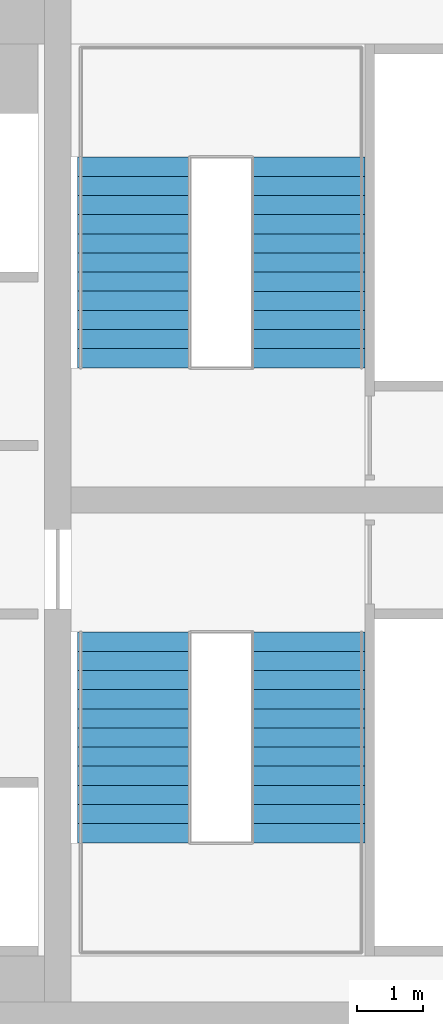
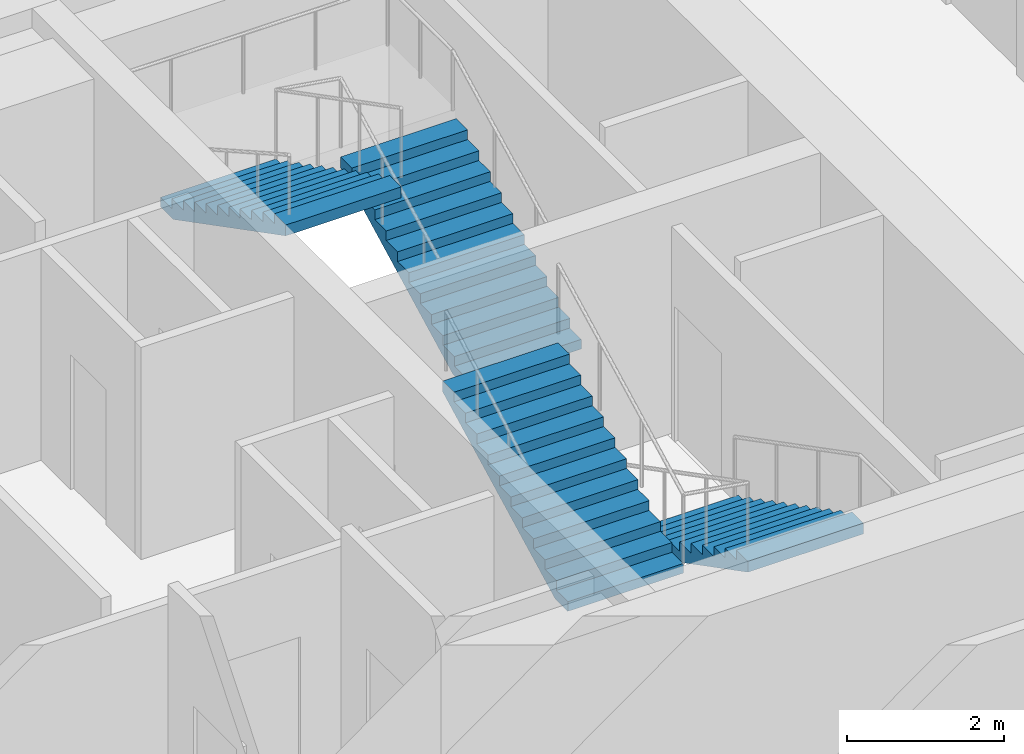
# One storey, part 32 of 33: 4 stair flights, 2 elements without a shape of their own.
"""IFC4 building model written with IfcOpenShell, lengths in metres."""

from ifc_helpers import new_model, si_unit, direction, frame, origin, place, context, subcontext, project, spatial, polyline, outline, extrude, material, type_object, element, aggregate, save


model = new_model("IFC4")

# Units and contexts
model_context = context("Model", 3, precision=1e-05, world=origin(), true_north=direction((0.0, 1.0)))
body_context = subcontext(model_context, "Body", "Model", "MODEL_VIEW")
ifc_project = project(units=[si_unit("LENGTHUNIT", "METRE"), si_unit("AREAUNIT", "SQUARE_METRE"), si_unit("VOLUMEUNIT", "CUBIC_METRE"), si_unit("PLANEANGLEUNIT", "RADIAN"), si_unit("MASSUNIT", "GRAM", prefix="KILO")], contexts=[model_context])

# Site, building, storey
site_placement = place(None, origin())
site = spatial("IfcSite", under=ifc_project, at=site_placement, CompositionType="ELEMENT")
building_placement = place(site_placement, origin())
building = spatial("IfcBuilding", under=site, at=building_placement, Name="Marenta Gate Hotel Tower", CompositionType="ELEMENT")
storey_placement = place(building_placement, frame((0.0, 0.0, 248.89990234375)))
storey = spatial("IfcBuildingStorey", under=building, at=storey_placement, Name="L59", CompositionType="ELEMENT", Elevation=248.89990234375)

# Stair, stair flights
ifc_material_1 = material(Name="Concrete C40", Category="concrete")
stair_type = type_object("IfcStairType", Name="Core exit stair 1700 wide", PredefinedType="HALF_TURN_STAIR", material=ifc_material_1)
stair_1_placement = place(storey_placement, origin())
stair_1 = element("IfcStair", 1, at=stair_1_placement, inside=storey, type_object=stair_type, Name="Exit stair 3", PredefinedType="HALF_TURN_STAIR")
ifc_material_2 = material(Name="Concrete C40", Category="concrete")
stair_flight_type = type_object("IfcStairFlightType", Name="Core stair flight 1700 riser 150.0 going 290", PredefinedType="STRAIGHT", material=ifc_material_2)
stair_flight_1_placement = place(storey_placement, frame((8.0, 6.39990234375, 0.0), z_axis=(0.0, 0.0, 1.0), x_axis=(0.0, -1.0, 0.0)))
stair_flight_1 = element("IfcStairFlight", 2, at=stair_flight_1_placement, type_object=stair_flight_type, Name="ST3 flight 1", NumberOfRisers=12, NumberOfTreads=11, PredefinedType="STRAIGHT", RiserHeight=0.15, TreadLength=0.29, context=body_context, shape_type="SweptSolid", body=[
    extrude(outline(polyline([(0.0, 0.0), (0.0, 0.14990234375), (0.2900390625, 0.14990234375), (0.2900390625, 0.300048828125), (0.580078125, 0.300048828125), (0.580078125, 0.449951171875), (0.8701171875, 0.449951171875), (0.8701171875, 0.60009765625), (1.159912109375, 0.60009765625), (1.159912109375, 0.75), (1.449951171875, 0.75), (1.449951171875, 0.89990234375), (1.739990234375, 0.89990234375), (1.739990234375, 1.050048828125), (2.030029296875, 1.050048828125), (2.030029296875, 1.199951171875), (2.320068359375, 1.199951171875), (2.320068359375, 1.35009765625), (2.610107421875, 1.35009765625), (2.610107421875, 1.5), (2.89990234375, 1.5), (2.89990234375, 1.64990234375), (3.18994140625, 1.64990234375), (3.18994140625, 1.800048828125), (3.18994140625, 1.481201171875), (0.326171875, 0.0), (0.0, 0.0)])), frame((0.0, 0.85009765625, 0.0), z_axis=(0.0, -1.0, 0.0), x_axis=(1.0, 0.0, 0.0)), (0.0, 0.0, 1.0), 1.699951171875),
])
stair_flight_2_placement = place(storey_placement, frame((5.35009765625, 3.2099609375, 1.800048828125), z_axis=(0.0, 0.0, 1.0), x_axis=(0.0, 1.0, 0.0)))
stair_flight_2 = element("IfcStairFlight", 3, at=stair_flight_2_placement, type_object=stair_flight_type, Name="ST3 flight 2", NumberOfRisers=12, NumberOfTreads=11, PredefinedType="STRAIGHT", RiserHeight=0.15, TreadLength=0.29, context=body_context, shape_type="SweptSolid", body=[
    extrude(outline(polyline([(0.0, 0.0), (0.0, 0.14990234375), (0.2900390625, 0.14990234375), (0.2900390625, 0.300048828125), (0.580078125, 0.300048828125), (0.580078125, 0.449951171875), (0.8701171875, 0.449951171875), (0.8701171875, 0.60009765625), (1.159912109375, 0.60009765625), (1.159912109375, 0.75), (1.449951171875, 0.75), (1.449951171875, 0.89990234375), (1.739990234375, 0.89990234375), (1.739990234375, 1.050048828125), (2.030029296875, 1.050048828125), (2.030029296875, 1.199951171875), (2.320068359375, 1.199951171875), (2.320068359375, 1.35009765625), (2.610107421875, 1.35009765625), (2.610107421875, 1.5), (2.89990234375, 1.5), (2.89990234375, 1.64990234375), (3.18994140625, 1.64990234375), (3.18994140625, 1.800048828125), (3.18994140625, 1.481201171875), (0.326171875, 0.0), (0.0, 0.0)])), frame((0.0, 0.85009765625, 0.0), z_axis=(0.0, -1.0, 0.0), x_axis=(1.0, 0.0, 0.0)), (0.0, 0.0, 1.0), 1.699951171875),
])
aggregate(stair_1, [stair_flight_1, stair_flight_2])

stair_2_placement = place(storey_placement, origin())
stair_2 = element("IfcStair", 4, at=stair_2_placement, inside=storey, type_object=stair_type, Name="Exit stair 4", PredefinedType="HALF_TURN_STAIR")
stair_flight_3_placement = place(storey_placement, frame((8.0, 10.39990234375, 0.0), z_axis=(0.0, 0.0, 1.0), x_axis=(0.0, 1.0, 0.0)))
stair_flight_3 = element("IfcStairFlight", 5, at=stair_flight_3_placement, type_object=stair_flight_type, Name="ST4 flight 1", NumberOfRisers=12, NumberOfTreads=11, PredefinedType="STRAIGHT", RiserHeight=0.15, TreadLength=0.29, context=body_context, shape_type="SweptSolid", body=[
    extrude(outline(polyline([(0.0, 0.0), (0.0, 0.14990234375), (0.2900390625, 0.14990234375), (0.2900390625, 0.300048828125), (0.580078125, 0.300048828125), (0.580078125, 0.449951171875), (0.8701171875, 0.449951171875), (0.8701171875, 0.60009765625), (1.159912109375, 0.60009765625), (1.159912109375, 0.75), (1.449951171875, 0.75), (1.449951171875, 0.89990234375), (1.739990234375, 0.89990234375), (1.739990234375, 1.050048828125), (2.030029296875, 1.050048828125), (2.030029296875, 1.199951171875), (2.320068359375, 1.199951171875), (2.320068359375, 1.35009765625), (2.610107421875, 1.35009765625), (2.610107421875, 1.5), (2.89990234375, 1.5), (2.89990234375, 1.64990234375), (3.18994140625, 1.64990234375), (3.18994140625, 1.800048828125), (3.18994140625, 1.481201171875), (0.326171875, 0.0), (0.0, 0.0)])), frame((0.0, 0.85009765625, 0.0), z_axis=(0.0, -1.0, 0.0), x_axis=(1.0, 0.0, 0.0)), (0.0, 0.0, 1.0), 1.699951171875),
])
stair_flight_4_placement = place(storey_placement, frame((5.35009765625, 13.590087890625, 1.800048828125), z_axis=(0.0, 0.0, 1.0), x_axis=(0.0, -1.0, 0.0)))
stair_flight_4 = element("IfcStairFlight", 6, at=stair_flight_4_placement, type_object=stair_flight_type, Name="ST4 flight 2", NumberOfRisers=12, NumberOfTreads=11, PredefinedType="STRAIGHT", RiserHeight=0.15, TreadLength=0.29, context=body_context, shape_type="SweptSolid", body=[
    extrude(outline(polyline([(0.0, 0.0), (0.0, 0.14990234375), (0.2900390625, 0.14990234375), (0.2900390625, 0.300048828125), (0.580078125, 0.300048828125), (0.580078125, 0.449951171875), (0.8701171875, 0.449951171875), (0.8701171875, 0.60009765625), (1.159912109375, 0.60009765625), (1.159912109375, 0.75), (1.449951171875, 0.75), (1.449951171875, 0.89990234375), (1.739990234375, 0.89990234375), (1.739990234375, 1.050048828125), (2.030029296875, 1.050048828125), (2.030029296875, 1.199951171875), (2.320068359375, 1.199951171875), (2.320068359375, 1.35009765625), (2.610107421875, 1.35009765625), (2.610107421875, 1.5), (2.89990234375, 1.5), (2.89990234375, 1.64990234375), (3.18994140625, 1.64990234375), (3.18994140625, 1.800048828125), (3.18994140625, 1.481201171875), (0.326171875, 0.0), (0.0, 0.0)])), frame((0.0, 0.85009765625, 0.0), z_axis=(0.0, -1.0, 0.0), x_axis=(1.0, 0.0, 0.0)), (0.0, 0.0, 1.0), 1.699951171875),
])
aggregate(stair_2, [stair_flight_3, stair_flight_4])

save(model, "model.ifc")
